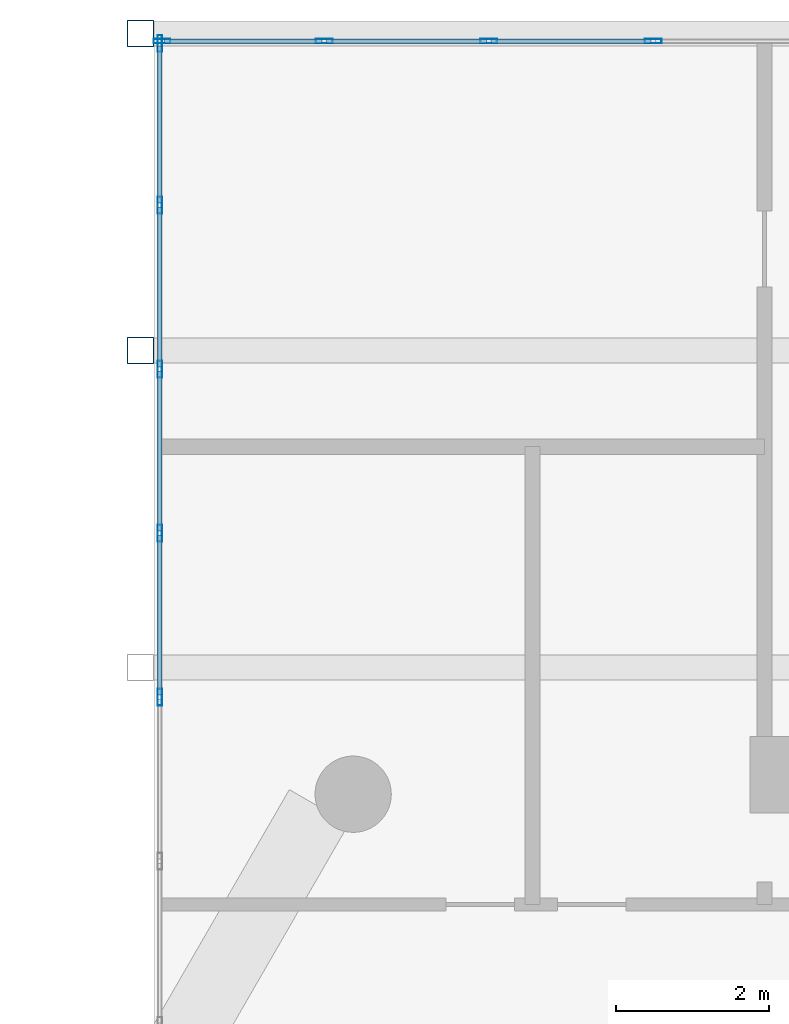
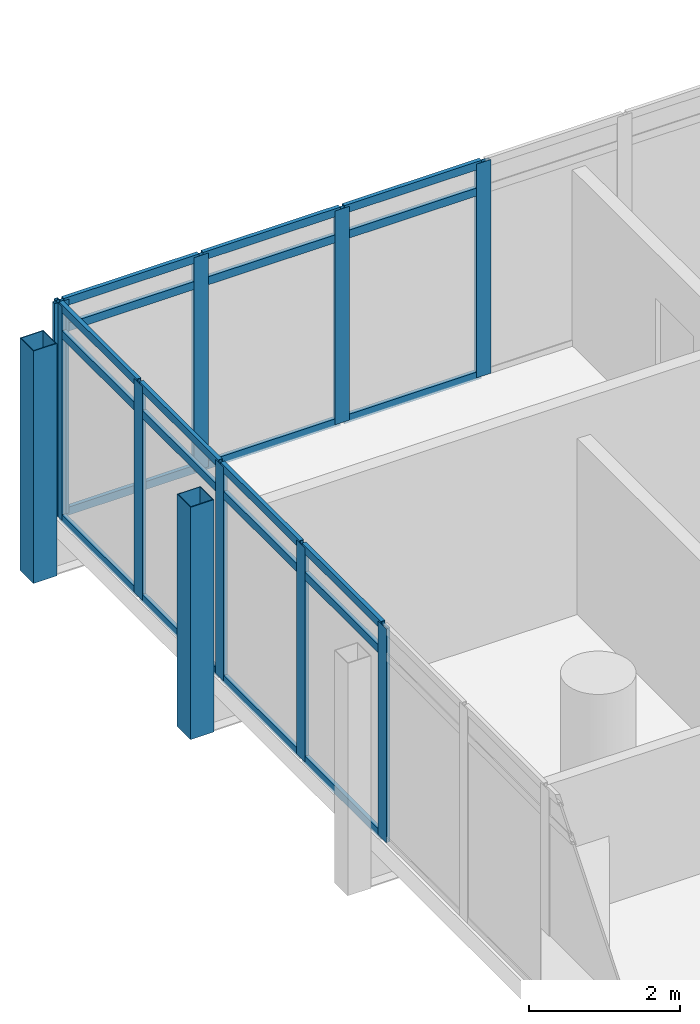
# One storey, part 18 of 37: 32 members, 2 elements without a shape of their own.
"""IFC4 building model written with IfcOpenShell, lengths in metres."""

from ifc_helpers import new_model, si_unit, direction, frame, origin, origin_2d, place, context, subcontext, project, spatial, hollow_rectangle, extrude, material, material_profile, profile_set, type_object, element, aggregate, save


model = new_model("IFC4")

# Units and contexts
model_context = context("Model", 3, precision=1e-05, world=origin(), true_north=direction((0.0, 1.0)))
body_context = subcontext(model_context, "Body", "Model", "MODEL_VIEW")
ifc_project = project(units=[si_unit("LENGTHUNIT", "METRE"), si_unit("AREAUNIT", "SQUARE_METRE"), si_unit("VOLUMEUNIT", "CUBIC_METRE"), si_unit("PLANEANGLEUNIT", "RADIAN"), si_unit("MASSUNIT", "GRAM", prefix="KILO")], contexts=[model_context])

# Site, building, storey
site_placement = place(None, origin())
site = spatial("IfcSite", under=ifc_project, at=site_placement, CompositionType="ELEMENT")
building_placement = place(site_placement, origin())
building = spatial("IfcBuilding", under=site, at=building_placement, Name="Ostrander Bayou Hotel Tower", CompositionType="ELEMENT")
storey_placement = place(building_placement, frame((0.0, 0.0, 198.25)))
storey = spatial("IfcBuildingStorey", under=building, at=storey_placement, Name="L49", CompositionType="ELEMENT", Elevation=198.25)

# Curtain wall, members
ifc_material_1 = material(Name="Aluminium and clear glass", Category="aluminium")
curtain_wall_type = type_object("IfcCurtainWallType", Name="CW-BAR glazed wall", PredefinedType="NOTDEFINED", material=ifc_material_1)
curtain_wall_1_placement = place(storey_placement, origin())
curtain_wall_1 = element("IfcCurtainWall", 1, at=curtain_wall_1_placement, inside=storey, type_object=curtain_wall_type, Name="CW-BAR L49:SB4N:E", PredefinedType="NOTDEFINED")
ifc_material_2 = material(Name="Aluminium", Category="aluminium")
ifc_material_profile_1 = material_profile(ifc_material_2, hollow_rectangle(XDim=0.06005859375, YDim=0.219970703125, WallThickness=0.00390625, at=origin_2d()))
ifc_profile_set_1 = profile_set([ifc_material_profile_1], Name="Aluminium")
member_type_1 = type_object("IfcMemberType", Name="CW-BR mullion 60 x 220 mm", PredefinedType="MULLION", material=ifc_profile_set_1)
member_1_placement = place(storey_placement, frame((-11.857177734375, 19.3154296875, 0.0), z_axis=(0.0, 0.0, 1.0), x_axis=(-1.0, 0.0, 0.0)))
member_1 = element("IfcMember", 2, at=member_1_placement, type_object=member_type_1, Name="CW-BAR mullion 6", PredefinedType="MULLION", context=body_context, shape_type="SweptSolid", body=[
    extrude(hollow_rectangle(XDim=0.06005859375, YDim=0.219970703125, WallThickness=0.00390625, at=origin_2d()), origin(), (0.0, 0.0, 1.0), 3.449951171875),
])
member_2_placement = place(storey_placement, frame((-11.857177734375, 21.465576171875, 0.0), z_axis=(0.0, 0.0, 1.0), x_axis=(-1.0, 0.0, 0.0)))
member_2 = element("IfcMember", 3, at=member_2_placement, type_object=member_type_1, Name="CW-BAR mullion 7", PredefinedType="MULLION", context=body_context, shape_type="SweptSolid", body=[
    extrude(hollow_rectangle(XDim=0.06005859375, YDim=0.219970703125, WallThickness=0.00390625, at=origin_2d()), origin(), (0.0, 0.0, 1.0), 3.449951171875),
])
member_3_placement = place(storey_placement, frame((-11.857177734375, 23.61572265625, 0.0), z_axis=(0.0, 0.0, 1.0), x_axis=(-1.0, 0.0, 0.0)))
member_3 = element("IfcMember", 4, at=member_3_placement, type_object=member_type_1, Name="CW-BAR mullion 8", PredefinedType="MULLION", context=body_context, shape_type="SweptSolid", body=[
    extrude(hollow_rectangle(XDim=0.06005859375, YDim=0.219970703125, WallThickness=0.00390625, at=origin_2d()), origin(), (0.0, 0.0, 1.0), 3.449951171875),
])
member_4_placement = place(storey_placement, frame((-11.857177734375, 25.765869140625, 0.0), z_axis=(0.0, 0.0, 1.0), x_axis=(-1.0, 0.0, 0.0)))
member_4 = element("IfcMember", 5, at=member_4_placement, type_object=member_type_1, Name="CW-BAR mullion 9", PredefinedType="MULLION", context=body_context, shape_type="SweptSolid", body=[
    extrude(hollow_rectangle(XDim=0.06005859375, YDim=0.219970703125, WallThickness=0.00390625, at=origin_2d()), origin(), (0.0, 0.0, 1.0), 3.449951171875),
])
member_5_placement = place(storey_placement, frame((-11.857177734375, 27.885986328125, 0.0), z_axis=(0.0, 0.0, 1.0), x_axis=(-1.0, 0.0, 0.0)))
member_5 = element("IfcMember", 6, at=member_5_placement, type_object=member_type_1, Name="CW-BAR mullion 10", PredefinedType="MULLION", context=body_context, shape_type="SweptSolid", body=[
    extrude(hollow_rectangle(XDim=0.06005859375, YDim=0.219970703125, WallThickness=0.00390625, at=origin_2d()), origin(), (0.0, 0.0, 1.0), 3.449951171875),
])

curtain_wall_2_placement = place(storey_placement, origin())
curtain_wall_2 = element("IfcCurtainWall", 7, at=curtain_wall_2_placement, inside=storey, type_object=curtain_wall_type, Name="CW-BAR L49:SB4N:T", PredefinedType="NOTDEFINED")
member_6_placement = place(storey_placement, frame((-11.8271484375, 27.916015625, 0.0), z_axis=(0.0, 0.0, 1.0), x_axis=(0.0, 1.0, 0.0)))
member_6 = element("IfcMember", 8, at=member_6_placement, type_object=member_type_1, Name="CW-BAR mullion 1", PredefinedType="MULLION", context=body_context, shape_type="SweptSolid", body=[
    extrude(hollow_rectangle(XDim=0.06005859375, YDim=0.219970703125, WallThickness=0.00390625, at=origin_2d()), origin(), (0.0, 0.0, 1.0), 3.449951171875),
])
member_7_placement = place(storey_placement, frame((-9.701416015625, 27.916015625, 0.0), z_axis=(0.0, 0.0, 1.0), x_axis=(0.0, 1.0, 0.0)))
member_7 = element("IfcMember", 9, at=member_7_placement, type_object=member_type_1, Name="CW-BAR mullion 2", PredefinedType="MULLION", context=body_context, shape_type="SweptSolid", body=[
    extrude(hollow_rectangle(XDim=0.06005859375, YDim=0.219970703125, WallThickness=0.00390625, at=origin_2d()), origin(), (0.0, 0.0, 1.0), 3.449951171875),
])
member_8_placement = place(storey_placement, frame((-7.54541015625, 27.916015625, 0.0), z_axis=(0.0, 0.0, 1.0), x_axis=(0.0, 1.0, 0.0)))
member_8 = element("IfcMember", 10, at=member_8_placement, type_object=member_type_1, Name="CW-BAR mullion 3", PredefinedType="MULLION", context=body_context, shape_type="SweptSolid", body=[
    extrude(hollow_rectangle(XDim=0.06005859375, YDim=0.219970703125, WallThickness=0.00390625, at=origin_2d()), origin(), (0.0, 0.0, 1.0), 3.449951171875),
])
member_9_placement = place(storey_placement, frame((-5.3896484375, 27.916015625, 0.0), z_axis=(0.0, 0.0, 1.0), x_axis=(0.0, 1.0, 0.0)))
member_9 = element("IfcMember", 11, at=member_9_placement, type_object=member_type_1, Name="CW-BAR mullion 4", PredefinedType="MULLION", context=body_context, shape_type="SweptSolid", body=[
    extrude(hollow_rectangle(XDim=0.06005859375, YDim=0.219970703125, WallThickness=0.00390625, at=origin_2d()), origin(), (0.0, 0.0, 1.0), 3.449951171875),
])

# Member
ifc_material_3 = material(Name="Aluminium", Category="aluminium")
ifc_material_profile_2 = material_profile(ifc_material_3, hollow_rectangle(XDim=0.06005859375, YDim=0.1298828125, WallThickness=0.00390625, at=origin_2d()))
ifc_profile_set_2 = profile_set([ifc_material_profile_2], Name="Aluminium")
member_type_2 = type_object("IfcMemberType", Name="CW-BR transom 60 x 130 mm", PredefinedType="USERDEFINED", material=ifc_profile_set_2)
member_10_placement = place(storey_placement, frame((-11.857177734375, 19.345458984375, 0.030029296875), z_axis=(0.0, 1.0, 0.0), x_axis=(-1.0, 0.0, 0.0)))
member_10 = element("IfcMember", 12, at=member_10_placement, type_object=member_type_2, Name="CW-BAR transom 6.1", ObjectType="TRANSOM", PredefinedType="USERDEFINED", context=body_context, shape_type="SweptSolid", body=[
    extrude(hollow_rectangle(XDim=0.06005859375, YDim=0.1298828125, WallThickness=0.00390625, at=origin_2d()), origin(), (0.0, 0.0, 1.0), 2.090087890625),
])

member_11_placement = place(storey_placement, frame((-11.857177734375, 19.345458984375, 3.0), z_axis=(0.0, 1.0, 0.0), x_axis=(-1.0, 0.0, 0.0)))
member_11 = element("IfcMember", 13, at=member_11_placement, type_object=member_type_2, Name="CW-BAR transom 6.2", ObjectType="TRANSOM", PredefinedType="USERDEFINED", context=body_context, shape_type="SweptSolid", body=[
    extrude(hollow_rectangle(XDim=0.06005859375, YDim=0.1298828125, WallThickness=0.00390625, at=origin_2d()), origin(), (0.0, 0.0, 1.0), 2.090087890625),
])

member_12_placement = place(storey_placement, frame((-11.857177734375, 19.345458984375, 3.419921875), z_axis=(0.0, 1.0, 0.0), x_axis=(-1.0, 0.0, 0.0)))
member_12 = element("IfcMember", 14, at=member_12_placement, type_object=member_type_2, Name="CW-BAR transom 6.3", ObjectType="TRANSOM", PredefinedType="USERDEFINED", context=body_context, shape_type="SweptSolid", body=[
    extrude(hollow_rectangle(XDim=0.06005859375, YDim=0.1298828125, WallThickness=0.00390625, at=origin_2d()), origin(), (0.0, 0.0, 1.0), 2.090087890625),
])

member_13_placement = place(storey_placement, frame((-11.857177734375, 21.49560546875, 0.030029296875), z_axis=(0.0, 1.0, 0.0), x_axis=(-1.0, 0.0, 0.0)))
member_13 = element("IfcMember", 15, at=member_13_placement, type_object=member_type_2, Name="CW-BAR transom 7.1", ObjectType="TRANSOM", PredefinedType="USERDEFINED", context=body_context, shape_type="SweptSolid", body=[
    extrude(hollow_rectangle(XDim=0.06005859375, YDim=0.1298828125, WallThickness=0.00390625, at=origin_2d()), origin(), (0.0, 0.0, 1.0), 2.090087890625),
])

member_14_placement = place(storey_placement, frame((-11.857177734375, 21.49560546875, 3.0), z_axis=(0.0, 1.0, 0.0), x_axis=(-1.0, 0.0, 0.0)))
member_14 = element("IfcMember", 16, at=member_14_placement, type_object=member_type_2, Name="CW-BAR transom 7.2", ObjectType="TRANSOM", PredefinedType="USERDEFINED", context=body_context, shape_type="SweptSolid", body=[
    extrude(hollow_rectangle(XDim=0.06005859375, YDim=0.1298828125, WallThickness=0.00390625, at=origin_2d()), origin(), (0.0, 0.0, 1.0), 2.090087890625),
])

member_15_placement = place(storey_placement, frame((-11.857177734375, 21.49560546875, 3.419921875), z_axis=(0.0, 1.0, 0.0), x_axis=(-1.0, 0.0, 0.0)))
member_15 = element("IfcMember", 17, at=member_15_placement, type_object=member_type_2, Name="CW-BAR transom 7.3", ObjectType="TRANSOM", PredefinedType="USERDEFINED", context=body_context, shape_type="SweptSolid", body=[
    extrude(hollow_rectangle(XDim=0.06005859375, YDim=0.1298828125, WallThickness=0.00390625, at=origin_2d()), origin(), (0.0, 0.0, 1.0), 2.090087890625),
])

member_16_placement = place(storey_placement, frame((-11.857177734375, 23.645751953125, 0.030029296875), z_axis=(0.0, 1.0, 0.0), x_axis=(-1.0, 0.0, 0.0)))
member_16 = element("IfcMember", 18, at=member_16_placement, type_object=member_type_2, Name="CW-BAR transom 8.1", ObjectType="TRANSOM", PredefinedType="USERDEFINED", context=body_context, shape_type="SweptSolid", body=[
    extrude(hollow_rectangle(XDim=0.06005859375, YDim=0.1298828125, WallThickness=0.00390625, at=origin_2d()), origin(), (0.0, 0.0, 1.0), 2.090087890625),
])

member_17_placement = place(storey_placement, frame((-11.857177734375, 23.645751953125, 3.0), z_axis=(0.0, 1.0, 0.0), x_axis=(-1.0, 0.0, 0.0)))
member_17 = element("IfcMember", 19, at=member_17_placement, type_object=member_type_2, Name="CW-BAR transom 8.2", ObjectType="TRANSOM", PredefinedType="USERDEFINED", context=body_context, shape_type="SweptSolid", body=[
    extrude(hollow_rectangle(XDim=0.06005859375, YDim=0.1298828125, WallThickness=0.00390625, at=origin_2d()), origin(), (0.0, 0.0, 1.0), 2.090087890625),
])

member_18_placement = place(storey_placement, frame((-11.857177734375, 23.645751953125, 3.419921875), z_axis=(0.0, 1.0, 0.0), x_axis=(-1.0, 0.0, 0.0)))
member_18 = element("IfcMember", 20, at=member_18_placement, type_object=member_type_2, Name="CW-BAR transom 8.3", ObjectType="TRANSOM", PredefinedType="USERDEFINED", context=body_context, shape_type="SweptSolid", body=[
    extrude(hollow_rectangle(XDim=0.06005859375, YDim=0.1298828125, WallThickness=0.00390625, at=origin_2d()), origin(), (0.0, 0.0, 1.0), 2.090087890625),
])

member_19_placement = place(storey_placement, frame((-11.857177734375, 25.7958984375, 0.030029296875), z_axis=(0.0, 1.0, 0.0), x_axis=(-1.0, 0.0, 0.0)))
member_19 = element("IfcMember", 21, at=member_19_placement, type_object=member_type_2, Name="CW-BAR transom 9.1", ObjectType="TRANSOM", PredefinedType="USERDEFINED", context=body_context, shape_type="SweptSolid", body=[
    extrude(hollow_rectangle(XDim=0.06005859375, YDim=0.1298828125, WallThickness=0.00390625, at=origin_2d()), origin(), (0.0, 0.0, 1.0), 2.060302734375),
])

member_20_placement = place(storey_placement, frame((-11.857177734375, 25.7958984375, 3.0), z_axis=(0.0, 1.0, 0.0), x_axis=(-1.0, 0.0, 0.0)))
member_20 = element("IfcMember", 22, at=member_20_placement, type_object=member_type_2, Name="CW-BAR transom 9.2", ObjectType="TRANSOM", PredefinedType="USERDEFINED", context=body_context, shape_type="SweptSolid", body=[
    extrude(hollow_rectangle(XDim=0.06005859375, YDim=0.1298828125, WallThickness=0.00390625, at=origin_2d()), origin(), (0.0, 0.0, 1.0), 2.060302734375),
])

member_21_placement = place(storey_placement, frame((-11.857177734375, 25.7958984375, 3.419921875), z_axis=(0.0, 1.0, 0.0), x_axis=(-1.0, 0.0, 0.0)))
member_21 = element("IfcMember", 23, at=member_21_placement, type_object=member_type_2, Name="CW-BAR transom 9.3", ObjectType="TRANSOM", PredefinedType="USERDEFINED", context=body_context, shape_type="SweptSolid", body=[
    extrude(hollow_rectangle(XDim=0.06005859375, YDim=0.1298828125, WallThickness=0.00390625, at=origin_2d()), origin(), (0.0, 0.0, 1.0), 2.060302734375),
])

aggregate(curtain_wall_1, [member_1, member_2, member_3, member_4, member_5, member_10, member_11, member_12, member_13, member_14, member_15, member_16, member_17, member_18, member_19, member_20, member_21])

member_22_placement = place(storey_placement, frame((-11.797119140625, 27.916015625, 0.030029296875), z_axis=(1.0, 0.0, 0.0), x_axis=(0.0, 1.0, 0.0)))
member_22 = element("IfcMember", 24, at=member_22_placement, type_object=member_type_2, Name="CW-BAR transom 1.1", ObjectType="TRANSOM", PredefinedType="USERDEFINED", context=body_context, shape_type="SweptSolid", body=[
    extrude(hollow_rectangle(XDim=0.06005859375, YDim=0.1298828125, WallThickness=0.00390625, at=origin_2d()), origin(), (0.0, 0.0, 1.0), 2.065673828125),
])

member_23_placement = place(storey_placement, frame((-11.797119140625, 27.916015625, 3.0), z_axis=(1.0, 0.0, 0.0), x_axis=(0.0, 1.0, 0.0)))
member_23 = element("IfcMember", 25, at=member_23_placement, type_object=member_type_2, Name="CW-BAR transom 1.2", ObjectType="TRANSOM", PredefinedType="USERDEFINED", context=body_context, shape_type="SweptSolid", body=[
    extrude(hollow_rectangle(XDim=0.06005859375, YDim=0.1298828125, WallThickness=0.00390625, at=origin_2d()), origin(), (0.0, 0.0, 1.0), 2.065673828125),
])

member_24_placement = place(storey_placement, frame((-11.797119140625, 27.916015625, 3.419921875), z_axis=(1.0, 0.0, 0.0), x_axis=(0.0, 1.0, 0.0)))
member_24 = element("IfcMember", 26, at=member_24_placement, type_object=member_type_2, Name="CW-BAR transom 1.3", ObjectType="TRANSOM", PredefinedType="USERDEFINED", context=body_context, shape_type="SweptSolid", body=[
    extrude(hollow_rectangle(XDim=0.06005859375, YDim=0.1298828125, WallThickness=0.00390625, at=origin_2d()), origin(), (0.0, 0.0, 1.0), 2.065673828125),
])

member_25_placement = place(storey_placement, frame((-9.67138671875, 27.916015625, 0.030029296875), z_axis=(1.0, 0.0, 0.0), x_axis=(0.0, 1.0, 0.0)))
member_25 = element("IfcMember", 27, at=member_25_placement, type_object=member_type_2, Name="CW-BAR transom 2.1", ObjectType="TRANSOM", PredefinedType="USERDEFINED", context=body_context, shape_type="SweptSolid", body=[
    extrude(hollow_rectangle(XDim=0.06005859375, YDim=0.1298828125, WallThickness=0.00390625, at=origin_2d()), origin(), (0.0, 0.0, 1.0), 2.095947265625),
])

member_26_placement = place(storey_placement, frame((-9.67138671875, 27.916015625, 3.0), z_axis=(1.0, 0.0, 0.0), x_axis=(0.0, 1.0, 0.0)))
member_26 = element("IfcMember", 28, at=member_26_placement, type_object=member_type_2, Name="CW-BAR transom 2.2", ObjectType="TRANSOM", PredefinedType="USERDEFINED", context=body_context, shape_type="SweptSolid", body=[
    extrude(hollow_rectangle(XDim=0.06005859375, YDim=0.1298828125, WallThickness=0.00390625, at=origin_2d()), origin(), (0.0, 0.0, 1.0), 2.095947265625),
])

member_27_placement = place(storey_placement, frame((-9.67138671875, 27.916015625, 3.419921875), z_axis=(1.0, 0.0, 0.0), x_axis=(0.0, 1.0, 0.0)))
member_27 = element("IfcMember", 29, at=member_27_placement, type_object=member_type_2, Name="CW-BAR transom 2.3", ObjectType="TRANSOM", PredefinedType="USERDEFINED", context=body_context, shape_type="SweptSolid", body=[
    extrude(hollow_rectangle(XDim=0.06005859375, YDim=0.1298828125, WallThickness=0.00390625, at=origin_2d()), origin(), (0.0, 0.0, 1.0), 2.095947265625),
])

member_28_placement = place(storey_placement, frame((-7.515380859375, 27.916015625, 0.030029296875), z_axis=(1.0, 0.0, 0.0), x_axis=(0.0, 1.0, 0.0)))
member_28 = element("IfcMember", 30, at=member_28_placement, type_object=member_type_2, Name="CW-BAR transom 3.1", ObjectType="TRANSOM", PredefinedType="USERDEFINED", context=body_context, shape_type="SweptSolid", body=[
    extrude(hollow_rectangle(XDim=0.06005859375, YDim=0.1298828125, WallThickness=0.00390625, at=origin_2d()), origin(), (0.0, 0.0, 1.0), 2.095703125),
])

member_29_placement = place(storey_placement, frame((-7.515380859375, 27.916015625, 3.0), z_axis=(1.0, 0.0, 0.0), x_axis=(0.0, 1.0, 0.0)))
member_29 = element("IfcMember", 31, at=member_29_placement, type_object=member_type_2, Name="CW-BAR transom 3.2", ObjectType="TRANSOM", PredefinedType="USERDEFINED", context=body_context, shape_type="SweptSolid", body=[
    extrude(hollow_rectangle(XDim=0.06005859375, YDim=0.1298828125, WallThickness=0.00390625, at=origin_2d()), origin(), (0.0, 0.0, 1.0), 2.095703125),
])

member_30_placement = place(storey_placement, frame((-7.515380859375, 27.916015625, 3.419921875), z_axis=(1.0, 0.0, 0.0), x_axis=(0.0, 1.0, 0.0)))
member_30 = element("IfcMember", 32, at=member_30_placement, type_object=member_type_2, Name="CW-BAR transom 3.3", ObjectType="TRANSOM", PredefinedType="USERDEFINED", context=body_context, shape_type="SweptSolid", body=[
    extrude(hollow_rectangle(XDim=0.06005859375, YDim=0.1298828125, WallThickness=0.00390625, at=origin_2d()), origin(), (0.0, 0.0, 1.0), 2.095703125),
])

aggregate(curtain_wall_2, [member_6, member_7, member_8, member_9, member_22, member_23, member_24, member_25, member_26, member_27, member_28, member_29, member_30])

# Members
ifc_material_4 = material(Name="Steel ASTM A500 Gr C", Category="steel")
ifc_material_profile_3 = material_profile(ifc_material_4, hollow_rectangle(XDim=0.355712890625, YDim=0.355712890625, WallThickness=0.01171875, at=origin_2d()))
ifc_profile_set_3 = profile_set([ifc_material_profile_3], Name="Steel ASTM A500 Gr C")
member_type_3 = type_object("IfcMemberType", Name="TH2 bar hanger HSS14x14x1/2", PredefinedType="POST", material=ifc_profile_set_3)
for number, where, z_axis, x_axis, name in (
    (33, (-12.110107421875, 28.01611328125, -0.9111328125), (0.0, 0.0, 1.0), (1.0, 0.0, 0.0), "TH2 SB4WA H1-2"),
    (34, (-12.110107421875, 23.861328125, -0.9111328125), (0.0, 0.0, 1.0), (1.0, 0.0, 0.0), "TH2 SB4WA H2-2"),
):
    element("IfcMember", number, at=place(storey_placement, frame(where, z_axis=z_axis, x_axis=x_axis)), inside=storey, type_object=member_type_3, Name=name, PredefinedType="POST", context=body_context, shape_type="SweptSolid", body=[
        extrude(hollow_rectangle(XDim=0.355712890625, YDim=0.355712890625, WallThickness=0.01171875, at=origin_2d()), origin(), (0.0, 0.0, 1.0), 3.75),
    ])

save(model, "model.ifc")
